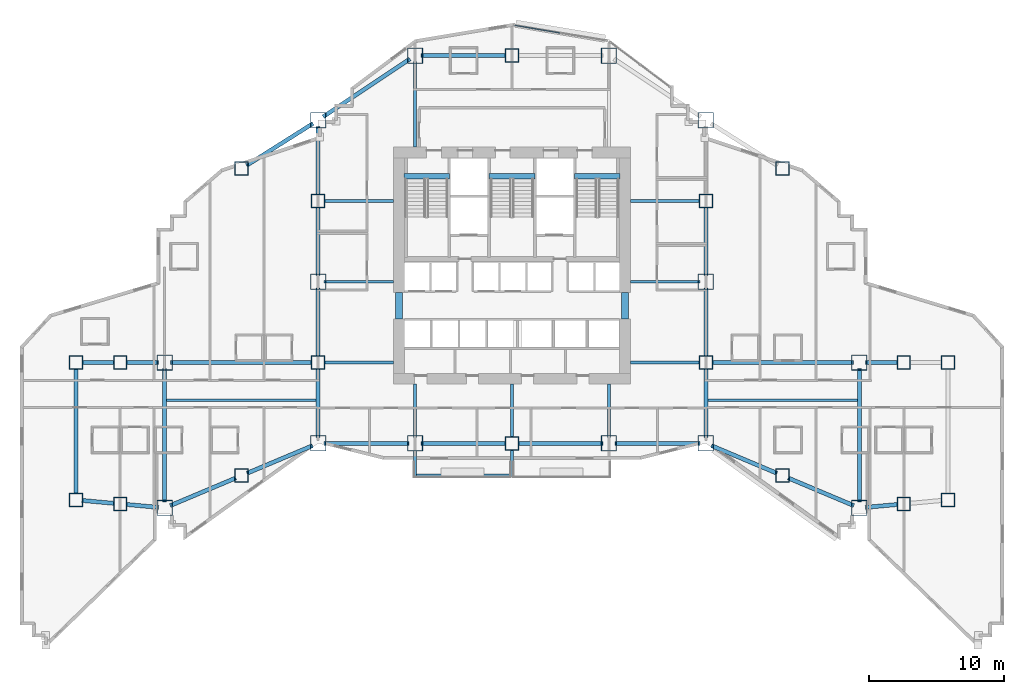
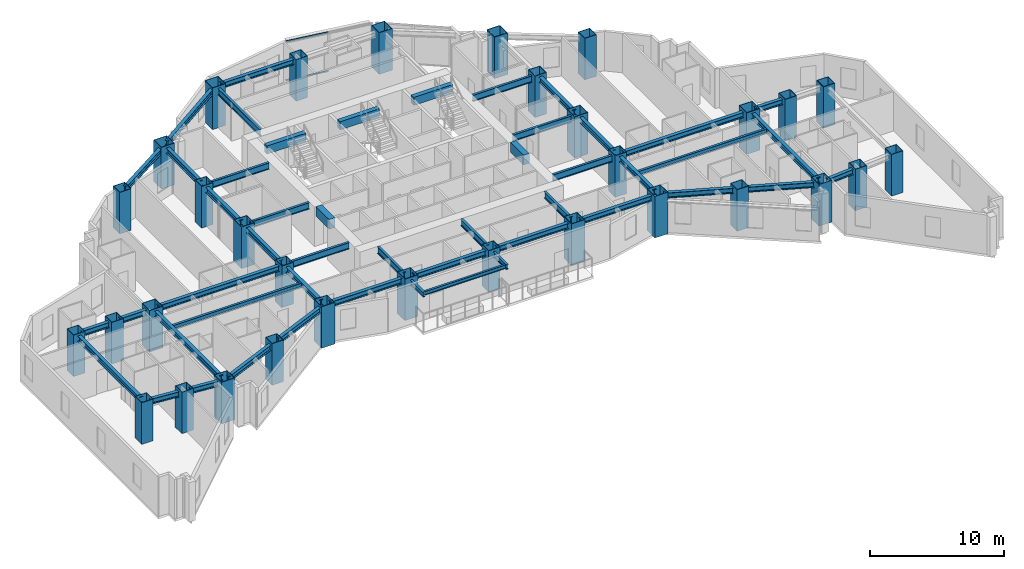
# One storey, part 1 of 18: 49 beams, 32 columns, 2 members, 1 element without a shape of its own.
"""IFC4 building model written with IfcOpenShell, lengths in metres."""

import ifcopenshell
import ifcopenshell.guid

model = None  # the IFC model being written
_history = None  # IfcOwnerHistory: only IFC2X3 demands one
_inside = {}  # id of a spatial element -> (the spatial element, [elements in it])
_under = {}  # id of a project, library or spatial element -> (it, [spatial elements below it])
_declared = {}  # id of a project -> (the project, [libraries it declares])
_typed = {}  # id of a type object -> (the type object, [elements of that type])
_made_of = {}  # id of a material, layer set ... -> (it, [elements and type objects made of it])


def new_model(schema):
    """Start an empty IFC model of exactly this schema.

    Asked for "IFC4X3", IfcOpenShell would pick the latest addendum, in which some entities
    have other attributes; the version numbers below select the first issue.
    IFC2X3 requires an IfcOwnerHistory on every rooted entity: one is made here for all.
    """
    global model, _history
    if schema == "IFC4X3":
        model = ifcopenshell.file(schema_version=(4, 3, 0, 0))
    else:
        model = ifcopenshell.file(schema=schema)
    _inside.clear()
    _under.clear()
    _declared.clear()
    _typed.clear()
    _made_of.clear()
    _history = None
    if model.schema == "IFC2X3":
        org = make("IfcOrganization", Name="unknown")
        user = make(
            "IfcPersonAndOrganization",
            ThePerson=make("IfcPerson", FamilyName="unknown"),
            TheOrganization=org,
        )
        app = make(
            "IfcApplication",
            ApplicationDeveloper=org,
            Version="unknown",
            ApplicationFullName="unknown",
            ApplicationIdentifier="unknown",
        )
        _history = make(
            "IfcOwnerHistory",
            OwningUser=user,
            OwningApplication=app,
            ChangeAction="ADDED",
            CreationDate=0,
        )
    return model


def make(cls, **values):
    """One entity of the class cls with the attributes given. An attribute that is None is left unset."""
    return model.create_entity(
        cls, **{name: value for name, value in values.items() if value is not None}
    )


def rooted(cls, **values):
    """An entity with a GlobalId (a new one), such as an element, a storey or a relation."""
    return make(cls, GlobalId=ifcopenshell.guid.new(), OwnerHistory=_history, **values)


def si_unit(unit_type, name, prefix=None):
    """IfcSIUnit, for example si_unit("LENGTHUNIT", "METRE", prefix="MILLI")."""
    return make("IfcSIUnit", UnitType=unit_type, Prefix=prefix, Name=name)


def assignment(units):
    """IfcUnitAssignment: the units of a project."""
    return None if units is None else make("IfcUnitAssignment", Units=units)


def point(xyz):
    """IfcCartesianPoint."""
    return None if xyz is None else make("IfcCartesianPoint", Coordinates=xyz)


def direction(xyz):
    """IfcDirection."""
    return None if xyz is None else make("IfcDirection", DirectionRatios=xyz)


def frame(location, z_axis=None, x_axis=None):
    """IfcAxis2Placement3D, a coordinate frame: its origin and axes. An axis left out is left unset."""
    return make(
        "IfcAxis2Placement3D",
        Location=point(location),
        Axis=direction(z_axis),
        RefDirection=direction(x_axis),
    )


def frame_2d(location, x_axis=None):
    """IfcAxis2Placement2D, a coordinate frame in the plane: its origin and x axis."""
    return make(
        "IfcAxis2Placement2D", Location=point(location), RefDirection=direction(x_axis)
    )


def origin():
    """The frame at (0, 0, 0) with its axes left unset."""
    return frame((0.0, 0.0, 0.0))


def origin_2d():
    """The frame at (0, 0) in the plane with its x axis left unset."""
    return frame_2d((0.0, 0.0))


def place(relative_to, where):
    """IfcLocalPlacement: puts the frame where relative to a parent placement (None: the world)."""
    return make(
        "IfcLocalPlacement", PlacementRelTo=relative_to, RelativePlacement=where
    )


def context(
    kind, dimensions, precision=None, world=None, true_north=None, identifier=None
):
    """IfcGeometricRepresentationContext, for example the 3D "Model" context."""
    return make(
        "IfcGeometricRepresentationContext",
        ContextIdentifier=identifier,
        ContextType=kind,
        CoordinateSpaceDimension=dimensions,
        Precision=precision,
        WorldCoordinateSystem=world,
        TrueNorth=true_north,
    )


def subcontext(parent, identifier, kind, view, scale=None):
    """IfcGeometricRepresentationSubContext, for example "Body" below "Model"."""
    return make(
        "IfcGeometricRepresentationSubContext",
        ContextIdentifier=identifier,
        ContextType=kind,
        ParentContext=parent,
        TargetScale=scale,
        TargetView=view,
    )


def project(units=None, contexts=None):
    """IfcProject with its units and contexts."""
    return rooted(
        "IfcProject",
        Name="project",
        RepresentationContexts=contexts,
        UnitsInContext=assignment(units),
    )


def spatial(cls, under=None, at=None, **own):
    """A site, building, storey or space (cls), placed at a placement, below another one or the project."""
    s = rooted(cls, ObjectPlacement=at, **own)
    if under is not None:
        _under.setdefault(under.id(), (under, []))[1].append(s)
    return s


def profile(cls, at=None, kind="AREA", **sizes):
    """A parametric profile (cls). Its sizes go by their IFC names, for example OverallWidth=200.0."""
    return make(cls, ProfileType=kind, Position=at, **sizes)


def rectangle(**sizes):
    """IfcRectangleProfileDef."""
    return profile("IfcRectangleProfileDef", **sizes)


def hollow_rectangle(**sizes):
    """IfcRectangleHollowProfileDef."""
    return profile("IfcRectangleHollowProfileDef", **sizes)


def i_section(**sizes):
    """IfcIShapeProfileDef."""
    return profile("IfcIShapeProfileDef", **sizes)


def extrude(swept, where, along, depth):
    """IfcExtrudedAreaSolid: the profile swept, set in the frame where, extruded along a direction by depth."""
    return make(
        "IfcExtrudedAreaSolid",
        SweptArea=swept,
        Position=where,
        ExtrudedDirection=direction(along),
        Depth=depth,
    )


def shape(context_of_items, identifier, shape_type, items):
    """IfcShapeRepresentation: the items that make up one representation, for example the "Body"."""
    return make(
        "IfcShapeRepresentation",
        ContextOfItems=context_of_items,
        RepresentationIdentifier=identifier,
        RepresentationType=shape_type,
        Items=items,
    )


def material(Name=None, Category=None):
    """IfcMaterial."""
    return make("IfcMaterial", Name=Name, Category=Category)


def layer(
    of_material, thickness, ventilated=None, Name=None, Category=None, Priority=None
):
    """IfcMaterialLayer: one layer of a wall or slab, of a material (None: an air gap)."""
    return make(
        "IfcMaterialLayer",
        Material=of_material,
        LayerThickness=thickness,
        IsVentilated=ventilated,
        Name=Name,
        Category=Category,
        Priority=Priority,
    )


def layer_set(layers, Name=None):
    """IfcMaterialLayerSet."""
    return make("IfcMaterialLayerSet", MaterialLayers=layers, LayerSetName=Name)


def material_profile(
    of_material, cross_section, Name=None, Category=None, Priority=None
):
    """IfcMaterialProfile: a cross section and its material."""
    return make(
        "IfcMaterialProfile",
        Name=Name,
        Material=of_material,
        Profile=cross_section,
        Priority=Priority,
        Category=Category,
    )


def profile_set(profiles, Name=None, composite=None):
    """IfcMaterialProfileSet."""
    return make(
        "IfcMaterialProfileSet",
        Name=Name,
        MaterialProfiles=profiles,
        CompositeProfile=composite,
    )


def made_of(thing, what):
    """Note that an element or type object is made of a material, layer set ...; save() writes the relation."""
    if what is not None:
        _made_of.setdefault(what.id(), (what, []))[1].append(thing)
    return thing


def type_object(cls, material=None, **own):
    """A type object (cls), such as IfcWallType, which elements share."""
    return made_of(rooted(cls, **own), material)


def element(
    cls,
    number,
    at=None,
    inside=None,
    cuts=None,
    type_object=None,
    material=None,
    context=None,
    identifier="Body",
    shape_type=None,
    held_by="IfcProductDefinitionShape",
    body=None,
    shapes=None,
    **own,
):
    """One element of the class cls, such as IfcWall. Its Tag is "e" and its number.

    at: its placement. inside: the storey or other place that contains it. cuts: it is an
    opening in that element (IfcRelVoidsElement). A single representation is given by context,
    identifier, shape_type and body (its items); several are given by shapes. held_by: the class
    of the entity that holds the representations. save() writes the other relations.
    """
    e = rooted(cls, Tag="e%d" % number, ObjectPlacement=at, **own)
    if body is not None:
        shapes = [shape(context, identifier, shape_type, body)]
    if shapes is not None:
        e.Representation = make(held_by, Representations=shapes)
    if inside is not None:
        _inside.setdefault(inside.id(), (inside, []))[1].append(e)
    if cuts is not None:
        rooted(
            "IfcRelVoidsElement", RelatingBuildingElement=cuts, RelatedOpeningElement=e
        )
    if type_object is not None:
        _typed.setdefault(type_object.id(), (type_object, []))[1].append(e)
    return made_of(e, material)


def aggregate(whole, parts):
    """IfcRelAggregates: a whole, such as a stair, and the parts it consists of."""
    return rooted("IfcRelAggregates", RelatingObject=whole, RelatedObjects=parts)


def save(model, path):
    """Write the relations noted so far, then the file.

    IfcRelAggregates (storeys below a building ...), IfcRelContainedInSpatialStructure (elements
    in a storey), IfcRelDefinesByType, IfcRelAssociatesMaterial and IfcRelDeclares: one each for
    every whole, place, type object, material and project.
    """
    for whole, parts in _under.values():
        aggregate(whole, parts)
    for where, things in _inside.values():
        rooted(
            "IfcRelContainedInSpatialStructure",
            RelatedElements=things,
            RelatingStructure=where,
        )
    for kind, things in _typed.values():
        rooted("IfcRelDefinesByType", RelatedObjects=things, RelatingType=kind)
    for what, things in _made_of.values():
        rooted("IfcRelAssociatesMaterial", RelatedObjects=things, RelatingMaterial=what)
    for by, libraries in _declared.values():
        rooted("IfcRelDeclares", RelatingContext=by, RelatedDefinitions=libraries)
    model.write(path)


model = new_model("IFC4")

# Units and contexts
model_context = context("Model", 3, precision=1e-05, world=origin(), true_north=direction((0.0, 1.0)))
body_context = subcontext(model_context, "Body", "Model", "MODEL_VIEW")
ifc_project = project(units=[si_unit("LENGTHUNIT", "METRE"), si_unit("AREAUNIT", "SQUARE_METRE"), si_unit("VOLUMEUNIT", "CUBIC_METRE"), si_unit("PLANEANGLEUNIT", "RADIAN"), si_unit("MASSUNIT", "GRAM", prefix="KILO")], contexts=[model_context])

# Site, building, storey
site_placement = place(None, origin())
site = spatial("IfcSite", under=ifc_project, at=site_placement, CompositionType="ELEMENT")
building_placement = place(site_placement, origin())
building = spatial("IfcBuilding", under=site, at=building_placement, Name="Haolan Belvedere Tower", CompositionType="ELEMENT")
storey_placement = place(building_placement, frame((0.0, 0.0, 51.39990234375)))
storey = spatial("IfcBuildingStorey", under=building, at=storey_placement, Name="L12", CompositionType="ELEMENT", Elevation=51.39990234375)

# Columns
ifc_material_1 = material(Name="Steel Q420GJC", Category="steel")
ifc_material_profile_1 = material_profile(ifc_material_1, hollow_rectangle(XDim=1.0, YDim=1.0, WallThickness=0.0380859375, at=origin_2d()), Name="Steel Q420GJC")
ifc_profile_set_1 = profile_set([ifc_material_profile_1], Name="Steel Q420GJC")
column_type_1 = type_object("IfcColumnType", Name="COL-BOX1000x1000x38", PredefinedType="COLUMN", material=ifc_profile_set_1)
for number, where, z_axis, x_axis, name in (
    (1, (6.0, 17.39990234375, 0.0), (0.0, 0.0, 1.0), (1.0, 0.0, 0.0), "L12 column MC-T1-SW (BOX1000x1000x38)"),
    (2, (6.0, 27.60009765625, 0.0), (0.0, 0.0, 1.0), (1.0, 0.0, 0.0), "L12 column MC-T1-NW (BOX1000x1000x38)"),
    (3, (70.800048828125, 17.39990234375, 0.0), (0.0, 0.0, 1.0), (1.0, 0.0, 0.0), "L12 column MC-T5-SE (BOX1000x1000x38)"),
    (4, (70.800048828125, 27.60009765625, 0.0), (0.0, 0.0, 1.0), (1.0, 0.0, 0.0), "L12 column MC-T5-NE (BOX1000x1000x38)"),
    (5, (24.0, 27.60009765625, 0.0), (0.0, 0.0, 1.0), (1.0, 0.0, 0.0), "L12 column TC-T3-W1 (BOX1000x1000x38)"),
    (6, (24.0, 39.60009765625, 0.0), (0.0, 0.0, 1.0), (1.0, 0.0, 0.0), "L12 column TC-T3-W2 (BOX1000x1000x38)"),
    (7, (52.800048828125, 27.60009765625, 0.0), (0.0, 0.0, 1.0), (1.0, 0.0, 0.0), "L12 column TC-T3-E1 (BOX1000x1000x38)"),
    (8, (52.800048828125, 39.60009765625, 0.0), (0.0, 0.0, 1.0), (1.0, 0.0, 0.0), "L12 column TC-T3-E2 (BOX1000x1000x38)"),
    (9, (38.39990234375, 21.60009765625, 0.0), (0.0, 0.0, 1.0), (1.0, 0.0, 0.0), "L12 column TC-T3-SM (BOX1000x1000x38)"),
    (10, (38.39990234375, 50.39990234375, 0.0), (0.0, 0.0, 1.0), (1.0, 0.0, 0.0), "L12 column TC-T3-NM (BOX1000x1000x38)"),
    (11, (18.300048828125, 19.199951171875, 0.0), (0.0, 0.0, 1.0), (1.0, 0.0, 0.0), "L12 column TC-T2-S1 (BOX1000x1000x38)"),
    (12, (18.300048828125, 42.0, 0.0), (0.0, 0.0, 1.0), (1.0, 0.0, 0.0), "L12 column TC-T2-N1 (BOX1000x1000x38)"),
    (13, (58.5, 19.199951171875, 0.0), (0.0, 0.0, 1.0), (1.0, 0.0, 0.0), "L12 column TC-T4-S1 (BOX1000x1000x38)"),
    (14, (58.5, 42.0, 0.0), (0.0, 0.0, 1.0), (1.0, 0.0, 0.0), "L12 column TC-T4-N1 (BOX1000x1000x38)"),
    (15, (9.300048828125, 17.10009765625, 0.0), (0.0, 0.0, 1.0), (1.0, 0.0, 0.0), "L12 column TC-T1-M1 (BOX1000x1000x38)"),
    (16, (9.300048828125, 27.60009765625, 0.0), (0.0, 0.0, 1.0), (1.0, 0.0, 0.0), "L12 column TC-T1-M2 (BOX1000x1000x38)"),
    (17, (67.5, 17.10009765625, 0.0), (0.0, 0.0, 1.0), (1.0, 0.0, 0.0), "L12 column TC-T5-M1 (BOX1000x1000x38)"),
    (18, (67.5, 27.60009765625, 0.0), (0.0, 0.0, 1.0), (1.0, 0.0, 0.0), "L12 column TC-T5-M2 (BOX1000x1000x38)"),
):
    element("IfcColumn", number, at=place(storey_placement, frame(where, z_axis=z_axis, x_axis=x_axis)), inside=storey, type_object=column_type_1, Name=name, PredefinedType="COLUMN", context=body_context, shape_type="SweptSolid", body=[
        extrude(hollow_rectangle(XDim=1.0, YDim=1.0, WallThickness=0.0380859375, at=origin_2d()), origin(), (0.0, 0.0, 1.0), 3.800048828125),
    ])
ifc_material_2 = material(Name="Steel Q355B", Category="steel")
ifc_material_profile_2 = material_profile(ifc_material_2, hollow_rectangle(XDim=1.14990234375, YDim=1.14990234375, WallThickness=0.0419921875, at=origin_2d()), Name="Steel Q355B")
ifc_profile_set_2 = profile_set([ifc_material_profile_2], Name="Steel Q355B")
column_type_2 = type_object("IfcColumnType", Name="COL-BOX1150x1150x42", PredefinedType="COLUMN", material=ifc_profile_set_2)
for number, where, z_axis, x_axis, name in (
    (19, (24.0, 21.60009765625, 0.0), (0.0, 0.0, 1.0), (1.0, 0.0, 0.0), "L12 column MC-T3-SW (BOX1150x1150x42)"),
    (20, (24.0, 33.60009765625, 0.0), (0.0, 0.0, 1.0), (1.0, 0.0, 0.0), "L12 column MC-T3-MW (BOX1150x1150x42)"),
    (21, (24.0, 45.60009765625, 0.0), (0.0, 0.0, 1.0), (1.0, 0.0, 0.0), "L12 column MC-T3-NW (BOX1150x1150x42)"),
    (22, (52.800048828125, 21.60009765625, 0.0), (0.0, 0.0, 1.0), (1.0, 0.0, 0.0), "L12 column MC-T3-SE (BOX1150x1150x42)"),
    (23, (52.800048828125, 33.60009765625, 0.0), (0.0, 0.0, 1.0), (1.0, 0.0, 0.0), "L12 column MC-T3-ME (BOX1150x1150x42)"),
    (24, (52.800048828125, 45.60009765625, 0.0), (0.0, 0.0, 1.0), (1.0, 0.0, 0.0), "L12 column MC-T3-NE (BOX1150x1150x42)"),
    (25, (31.199951171875, 21.60009765625, 0.0), (0.0, 0.0, 1.0), (1.0, 0.0, 0.0), "L12 column MC-T3-S1 (BOX1150x1150x42)"),
    (26, (45.60009765625, 21.60009765625, 0.0), (0.0, 0.0, 1.0), (1.0, 0.0, 0.0), "L12 column MC-T3-S2 (BOX1150x1150x42)"),
    (27, (31.199951171875, 50.39990234375, 0.0), (0.0, 0.0, 1.0), (1.0, 0.0, 0.0), "L12 column MC-T3-N1 (BOX1150x1150x42)"),
    (28, (45.60009765625, 50.39990234375, 0.0), (0.0, 0.0, 1.0), (1.0, 0.0, 0.0), "L12 column MC-T3-N2 (BOX1150x1150x42)"),
    (29, (12.60009765625, 16.800048828125, 0.0), (0.0, 0.0, 1.0), (1.0, 0.0, 0.0), "L12 column MC-T2-SW (BOX1150x1150x42)"),
    (30, (12.60009765625, 27.60009765625, 0.0), (0.0, 0.0, 1.0), (1.0, 0.0, 0.0), "L12 column MC-T2-MW (BOX1150x1150x42)"),
    (31, (64.199951171875, 16.800048828125, 0.0), (0.0, 0.0, 1.0), (1.0, 0.0, 0.0), "L12 column MC-T4-SE (BOX1150x1150x42)"),
    (32, (64.199951171875, 27.60009765625, 0.0), (0.0, 0.0, 1.0), (1.0, 0.0, 0.0), "L12 column MC-T4-ME (BOX1150x1150x42)"),
):
    element("IfcColumn", number, at=place(storey_placement, frame(where, z_axis=z_axis, x_axis=x_axis)), inside=storey, type_object=column_type_2, Name=name, PredefinedType="COLUMN", context=body_context, shape_type="SweptSolid", body=[
        extrude(hollow_rectangle(XDim=1.14990234375, YDim=1.14990234375, WallThickness=0.0419921875, at=origin_2d()), origin(), (0.0, 0.0, 1.0), 3.800048828125),
    ])

# Beams
ifc_material_profile_3 = material_profile(ifc_material_2, i_section(OverallWidth=0.300048828125, OverallDepth=0.488037109375, WebThickness=0.010986328125, FlangeThickness=0.01806640625, FilletRadius=0.02587890625, at=origin_2d()), Name="Steel Q355B")
ifc_profile_set_3 = profile_set([ifc_material_profile_3], Name="Steel Q355B")
beam_type_1 = type_object("IfcBeamType", Name="BM-HM488x300x11x18", PredefinedType="SPANDREL", material=ifc_profile_set_3)
for number, where, z_axis, x_axis, name in (
    (33, (24.0, 22.050048828125, 3.356201171875), (0.0, 1.0, 0.0), (-1.0, 0.0, 0.0), "L12 spandrel girder MC-T3-SW-TC-T3-W1"),
    (34, (24.0, 28.050048828125, 3.356201171875), (0.0, 1.0, 0.0), (-1.0, 0.0, 0.0), "L12 spandrel girder TC-T3-W1-MC-T3-MW"),
    (35, (24.0, 34.050048828125, 3.356201171875), (0.0, 1.0, 0.0), (-1.0, 0.0, 0.0), "L12 spandrel girder MC-T3-MW-TC-T3-W2"),
    (36, (24.0, 40.050048828125, 3.356201171875), (0.0, 1.0, 0.0), (-1.0, 0.0, 0.0), "L12 spandrel girder TC-T3-W2-MC-T3-NW"),
    (37, (52.800048828125, 22.050048828125, 3.356201171875), (0.0, 1.0, 0.0), (-1.0, 0.0, 0.0), "L12 spandrel girder MC-T3-SE-TC-T3-E1"),
    (38, (52.800048828125, 28.050048828125, 3.356201171875), (0.0, 1.0, 0.0), (-1.0, 0.0, 0.0), "L12 spandrel girder TC-T3-E1-MC-T3-ME"),
    (39, (52.800048828125, 34.050048828125, 3.356201171875), (0.0, 1.0, 0.0), (-1.0, 0.0, 0.0), "L12 spandrel girder MC-T3-ME-TC-T3-E2"),
):
    element("IfcBeam", number, at=place(storey_placement, frame(where, z_axis=z_axis, x_axis=x_axis)), inside=storey, type_object=beam_type_1, Name=name, PredefinedType="SPANDREL", context=body_context, shape_type="SweptSolid", body=[
        extrude(i_section(OverallWidth=0.300048828125, OverallDepth=0.488037109375, WebThickness=0.010986328125, FlangeThickness=0.01806640625, FilletRadius=0.02587890625, at=origin_2d()), origin(), (0.0, 0.0, 1.0), 5.099853515625),
    ])
for number, where, z_axis, x_axis, name in (
    (40, (24.449951171875, 21.60009765625, 3.356201171875), (1.0, 0.0, 0.0), (0.0, 1.0, 0.0), "L12 spandrel girder MC-T3-SW-MC-T3-S1"),
    (41, (31.64990234375, 21.60009765625, 3.356201171875), (1.0, 0.0, 0.0), (0.0, 1.0, 0.0), "L12 spandrel girder MC-T3-S1-TC-T3-SM"),
):
    element("IfcBeam", number, at=place(storey_placement, frame(where, z_axis=z_axis, x_axis=x_axis)), inside=storey, type_object=beam_type_1, Name=name, PredefinedType="SPANDREL", context=body_context, shape_type="SweptSolid", body=[
        extrude(i_section(OverallWidth=0.300048828125, OverallDepth=0.488037109375, WebThickness=0.010986328125, FlangeThickness=0.01806640625, FilletRadius=0.02587890625, at=origin_2d()), origin(), (0.0, 0.0, 1.0), 6.300048828125),
    ])
beam_1_placement = place(storey_placement, frame((38.85009765625, 21.60009765625, 3.356201171875), z_axis=(1.0, 0.0, 0.0), x_axis=(0.0, 1.0, 0.0)))
element("IfcBeam", 42, at=beam_1_placement, inside=storey, type_object=beam_type_1, Name="L12 spandrel girder TC-T3-SM-MC-T3-S2", PredefinedType="SPANDREL", context=body_context, shape_type="SweptSolid", body=[
    extrude(i_section(OverallWidth=0.300048828125, OverallDepth=0.488037109375, WebThickness=0.010986328125, FlangeThickness=0.01806640625, FilletRadius=0.02587890625, at=origin_2d()), origin(), (0.0, 0.0, 1.0), 6.2998046875),
])
beam_2_placement = place(storey_placement, frame((46.050048828125, 21.60009765625, 3.356201171875), z_axis=(1.0, 0.0, 0.0), x_axis=(0.0, 1.0, 0.0)))
element("IfcBeam", 43, at=beam_2_placement, inside=storey, type_object=beam_type_1, Name="L12 spandrel girder MC-T3-S2-MC-T3-SE", PredefinedType="SPANDREL", context=body_context, shape_type="SweptSolid", body=[
    extrude(i_section(OverallWidth=0.300048828125, OverallDepth=0.488037109375, WebThickness=0.010986328125, FlangeThickness=0.01806640625, FilletRadius=0.02587890625, at=origin_2d()), origin(), (0.0, 0.0, 1.0), 6.300048828125),
])
beam_3_placement = place(storey_placement, frame((24.37451171875, 45.849609375, 3.356201171875), z_axis=(0.832050294338, 0.554700196225, 0.0), x_axis=(-0.554700196225, 0.832050294338, 0.0)))
element("IfcBeam", 44, at=beam_3_placement, inside=storey, type_object=beam_type_1, Name="L12 spandrel girder MC-T3-NW-MC-T3-N1", PredefinedType="SPANDREL", context=body_context, shape_type="SweptSolid", body=[
    extrude(i_section(OverallWidth=0.300048828125, OverallDepth=0.488037109375, WebThickness=0.010986328125, FlangeThickness=0.01806640625, FilletRadius=0.02587890625, at=origin_2d()), origin(), (0.0, 0.0, 1.0), 7.75341796875),
])
beam_4_placement = place(storey_placement, frame((31.64990234375, 50.39990234375, 3.356201171875), z_axis=(1.0, 0.0, 0.0), x_axis=(0.0, 1.0, 0.0)))
element("IfcBeam", 45, at=beam_4_placement, inside=storey, type_object=beam_type_1, Name="L12 spandrel girder MC-T3-N1-TC-T3-NM", PredefinedType="SPANDREL", context=body_context, shape_type="SweptSolid", body=[
    extrude(i_section(OverallWidth=0.300048828125, OverallDepth=0.488037109375, WebThickness=0.010986328125, FlangeThickness=0.01806640625, FilletRadius=0.02587890625, at=origin_2d()), origin(), (0.0, 0.0, 1.0), 6.300048828125),
])
beam_5_placement = place(storey_placement, frame((12.60009765625, 17.25, 3.356201171875), z_axis=(0.0, 1.0, 0.0), x_axis=(-1.0, 0.0, 0.0)))
element("IfcBeam", 46, at=beam_5_placement, inside=storey, type_object=beam_type_1, Name="L12 spandrel girder MC-T2-SW-MC-T2-MW", PredefinedType="SPANDREL", context=body_context, shape_type="SweptSolid", body=[
    extrude(i_section(OverallWidth=0.300048828125, OverallDepth=0.488037109375, WebThickness=0.010986328125, FlangeThickness=0.01806640625, FilletRadius=0.02587890625, at=origin_2d()), origin(), (0.0, 0.0, 1.0), 9.89990234375),
])
beam_6_placement = place(storey_placement, frame((13.0146484375, 16.974609375, 3.356201171875), z_axis=(0.921635375138, 0.388057000058, 0.0), x_axis=(-0.388057000058, 0.921635375138, 0.0)))
element("IfcBeam", 47, at=beam_6_placement, inside=storey, type_object=beam_type_1, Name="L12 spandrel girder MC-T2-SW-TC-T2-S1", PredefinedType="SPANDREL", context=body_context, shape_type="SweptSolid", body=[
    extrude(i_section(OverallWidth=0.300048828125, OverallDepth=0.488037109375, WebThickness=0.010986328125, FlangeThickness=0.01806640625, FilletRadius=0.02587890625, at=origin_2d()), origin(), (0.0, 0.0, 1.0), 5.28466796875),
])
beam_7_placement = place(storey_placement, frame((18.71484375, 19.37451171875, 3.356201171875), z_axis=(0.92162841793, 0.388073523014, 0.0), x_axis=(-0.388073523014, 0.92162841793, 0.0)))
element("IfcBeam", 48, at=beam_7_placement, inside=storey, type_object=beam_type_1, Name="L12 spandrel girder TC-T2-S1-MC-T3-SW", PredefinedType="SPANDREL", context=body_context, shape_type="SweptSolid", body=[
    extrude(i_section(OverallWidth=0.300048828125, OverallDepth=0.488037109375, WebThickness=0.010986328125, FlangeThickness=0.01806640625, FilletRadius=0.02587890625, at=origin_2d()), origin(), (0.0, 0.0, 1.0), 5.284423828125),
])
beam_8_placement = place(storey_placement, frame((18.680419921875, 42.240234375, 3.356201171875), z_axis=(0.845497840649, 0.533978839898, 0.0), x_axis=(-0.533978839898, 0.845497840649, 0.0)))
element("IfcBeam", 49, at=beam_8_placement, inside=storey, type_object=beam_type_1, Name="L12 spandrel girder TC-T2-N1-MC-T3-NW", PredefinedType="SPANDREL", context=body_context, shape_type="SweptSolid", body=[
    extrude(i_section(OverallWidth=0.300048828125, OverallDepth=0.488037109375, WebThickness=0.010986328125, FlangeThickness=0.01806640625, FilletRadius=0.02587890625, at=origin_2d()), origin(), (0.0, 0.0, 1.0), 5.841796875),
])
beam_9_placement = place(storey_placement, frame((13.050048828125, 27.60009765625, 3.356201171875), z_axis=(1.0, 0.0, 0.0), x_axis=(0.0, 1.0, 0.0)))
element("IfcBeam", 50, at=beam_9_placement, inside=storey, type_object=beam_type_1, Name="L12 spandrel girder MC-T2-MW-TC-T3-W1", PredefinedType="SPANDREL", context=body_context, shape_type="SweptSolid", body=[
    extrude(i_section(OverallWidth=0.300048828125, OverallDepth=0.488037109375, WebThickness=0.010986328125, FlangeThickness=0.01806640625, FilletRadius=0.02587890625, at=origin_2d()), origin(), (0.0, 0.0, 1.0), 10.5),
])
beam_10_placement = place(storey_placement, frame((64.199951171875, 17.25, 3.356201171875), z_axis=(0.0, 1.0, 0.0), x_axis=(-1.0, 0.0, 0.0)))
element("IfcBeam", 51, at=beam_10_placement, inside=storey, type_object=beam_type_1, Name="L12 spandrel girder MC-T4-SE-MC-T4-ME", PredefinedType="SPANDREL", context=body_context, shape_type="SweptSolid", body=[
    extrude(i_section(OverallWidth=0.300048828125, OverallDepth=0.488037109375, WebThickness=0.010986328125, FlangeThickness=0.01806640625, FilletRadius=0.02587890625, at=origin_2d()), origin(), (0.0, 0.0, 1.0), 9.89990234375),
])
for number, where, z_axis, x_axis, name in (
    (52, (53.21484375, 21.42529296875, 3.356201171875), (0.92162841793, -0.388073523014, 0.0), (0.388073523014, 0.92162841793, 0.0), "L12 spandrel girder MC-T3-SE-TC-T4-S1"),
    (53, (58.914794921875, 19.025390625, 3.356201171875), (0.92162841793, -0.388073523014, 0.0), (0.388073523014, 0.92162841793, 0.0), "L12 spandrel girder TC-T4-S1-MC-T4-SE"),
):
    element("IfcBeam", number, at=place(storey_placement, frame(where, z_axis=z_axis, x_axis=x_axis)), inside=storey, type_object=beam_type_1, Name=name, PredefinedType="SPANDREL", context=body_context, shape_type="SweptSolid", body=[
        extrude(i_section(OverallWidth=0.300048828125, OverallDepth=0.488037109375, WebThickness=0.010986328125, FlangeThickness=0.01806640625, FilletRadius=0.02587890625, at=origin_2d()), origin(), (0.0, 0.0, 1.0), 5.284423828125),
    ])
beam_11_placement = place(storey_placement, frame((53.25, 27.60009765625, 3.356201171875), z_axis=(1.0, 0.0, 0.0), x_axis=(0.0, 1.0, 0.0)))
element("IfcBeam", 54, at=beam_11_placement, inside=storey, type_object=beam_type_1, Name="L12 spandrel girder TC-T3-E1-MC-T4-ME", PredefinedType="SPANDREL", context=body_context, shape_type="SweptSolid", body=[
    extrude(i_section(OverallWidth=0.300048828125, OverallDepth=0.488037109375, WebThickness=0.010986328125, FlangeThickness=0.01806640625, FilletRadius=0.02587890625, at=origin_2d()), origin(), (0.0, 0.0, 1.0), 10.5),
])
beam_12_placement = place(storey_placement, frame((6.0, 17.85009765625, 3.356201171875), z_axis=(0.0, 1.0, 0.0), x_axis=(-1.0, 0.0, 0.0)))
element("IfcBeam", 55, at=beam_12_placement, inside=storey, type_object=beam_type_1, Name="L12 spandrel girder MC-T1-SW-MC-T1-NW", PredefinedType="SPANDREL", context=body_context, shape_type="SweptSolid", body=[
    extrude(i_section(OverallWidth=0.300048828125, OverallDepth=0.488037109375, WebThickness=0.010986328125, FlangeThickness=0.01806640625, FilletRadius=0.02587890625, at=origin_2d()), origin(), (0.0, 0.0, 1.0), 9.2998046875),
])
beam_13_placement = place(storey_placement, frame((6.4482421875, 17.359375, 3.356201171875), z_axis=(0.995884080761, -0.090636072764, 0.0), x_axis=(0.090636072764, 0.995884080761, 0.0)))
element("IfcBeam", 56, at=beam_13_placement, inside=storey, type_object=beam_type_1, Name="L12 spandrel girder MC-T1-SW-TC-T1-M1", PredefinedType="SPANDREL", context=body_context, shape_type="SweptSolid", body=[
    extrude(i_section(OverallWidth=0.300048828125, OverallDepth=0.488037109375, WebThickness=0.010986328125, FlangeThickness=0.01806640625, FilletRadius=0.02587890625, at=origin_2d()), origin(), (0.0, 0.0, 1.0), 2.41357421875),
])
beam_14_placement = place(storey_placement, frame((9.748046875, 17.059326171875, 3.356201171875), z_axis=(0.9958940355, -0.090526626221, 0.0), x_axis=(0.090526626221, 0.9958940355, 0.0)))
element("IfcBeam", 57, at=beam_14_placement, inside=storey, type_object=beam_type_1, Name="L12 spandrel girder TC-T1-M1-MC-T2-SW", PredefinedType="SPANDREL", context=body_context, shape_type="SweptSolid", body=[
    extrude(i_section(OverallWidth=0.300048828125, OverallDepth=0.488037109375, WebThickness=0.010986328125, FlangeThickness=0.01806640625, FilletRadius=0.02587890625, at=origin_2d()), origin(), (0.0, 0.0, 1.0), 2.413818359375),
])
beam_15_placement = place(storey_placement, frame((6.449951171875, 27.60009765625, 3.356201171875), z_axis=(1.0, 0.0, 0.0), x_axis=(0.0, 1.0, 0.0)))
element("IfcBeam", 58, at=beam_15_placement, inside=storey, type_object=beam_type_1, Name="L12 spandrel girder MC-T1-NW-TC-T1-M2", PredefinedType="SPANDREL", context=body_context, shape_type="SweptSolid", body=[
    extrude(i_section(OverallWidth=0.300048828125, OverallDepth=0.488037109375, WebThickness=0.010986328125, FlangeThickness=0.01806640625, FilletRadius=0.02587890625, at=origin_2d()), origin(), (0.0, 0.0, 1.0), 2.400146484375),
])
beam_16_placement = place(storey_placement, frame((9.75, 27.60009765625, 3.356201171875), z_axis=(1.0, 0.0, 0.0), x_axis=(0.0, 1.0, 0.0)))
element("IfcBeam", 59, at=beam_16_placement, inside=storey, type_object=beam_type_1, Name="L12 spandrel girder TC-T1-M2-MC-T2-MW", PredefinedType="SPANDREL", context=body_context, shape_type="SweptSolid", body=[
    extrude(i_section(OverallWidth=0.300048828125, OverallDepth=0.488037109375, WebThickness=0.010986328125, FlangeThickness=0.01806640625, FilletRadius=0.02587890625, at=origin_2d()), origin(), (0.0, 0.0, 1.0), 2.39990234375),
])
beam_17_placement = place(storey_placement, frame((64.648193359375, 16.8408203125, 3.356201171875), z_axis=(0.995893206468, 0.090535746043, 0.0), x_axis=(-0.090535746043, 0.995893206468, 0.0)))
element("IfcBeam", 60, at=beam_17_placement, inside=storey, type_object=beam_type_1, Name="L12 spandrel girder MC-T4-SE-TC-T5-M1", PredefinedType="SPANDREL", context=body_context, shape_type="SweptSolid", body=[
    extrude(i_section(OverallWidth=0.300048828125, OverallDepth=0.488037109375, WebThickness=0.010986328125, FlangeThickness=0.01806640625, FilletRadius=0.02587890625, at=origin_2d()), origin(), (0.0, 0.0, 1.0), 2.41357421875),
])
beam_18_placement = place(storey_placement, frame((64.64990234375, 27.60009765625, 3.356201171875), z_axis=(1.0, 0.0, 0.0), x_axis=(0.0, 1.0, 0.0)))
element("IfcBeam", 61, at=beam_18_placement, inside=storey, type_object=beam_type_1, Name="L12 spandrel girder MC-T4-ME-TC-T5-M2", PredefinedType="SPANDREL", context=body_context, shape_type="SweptSolid", body=[
    extrude(i_section(OverallWidth=0.300048828125, OverallDepth=0.488037109375, WebThickness=0.010986328125, FlangeThickness=0.01806640625, FilletRadius=0.02587890625, at=origin_2d()), origin(), (0.0, 0.0, 1.0), 2.400146484375),
])
ifc_material_profile_4 = material_profile(ifc_material_2, i_section(OverallWidth=0.175048828125, OverallDepth=0.35009765625, WebThickness=0.007080078125, FlangeThickness=0.010986328125, FilletRadius=0.012939453125, at=origin_2d()), Name="Steel Q355B")
ifc_profile_set_4 = profile_set([ifc_material_profile_4], Name="Steel Q355B")
beam_type_2 = type_object("IfcBeamType", Name="BM-HN350x175x7x11", PredefinedType="JOIST", material=ifc_profile_set_4)
beam_19_placement = place(storey_placement, frame((31.300048828125, 19.239990234375, 3.39501953125), z_axis=(1.0, 0.0, 0.0), x_axis=(0.0, 1.0, 0.0)))
element("IfcBeam", 62, at=beam_19_placement, inside=storey, type_object=beam_type_2, Name="L13 tree-balcony front trimmer beam 1", PredefinedType="BEAM", context=body_context, shape_type="SweptSolid", body=[
    extrude(i_section(OverallWidth=0.175048828125, OverallDepth=0.35009765625, WebThickness=0.007080078125, FlangeThickness=0.010986328125, FilletRadius=0.012939453125, at=origin_2d()), origin(), (0.0, 0.0, 1.0), 7.0),
])
ifc_material_profile_5 = material_profile(ifc_material_2, i_section(OverallWidth=0.199951171875, OverallDepth=0.39990234375, WebThickness=0.008056640625, FlangeThickness=0.012939453125, FilletRadius=0.01611328125, at=origin_2d()), Name="Steel Q355B")
ifc_profile_set_5 = profile_set([ifc_material_profile_5], Name="Steel Q355B")
beam_type_3 = type_object("IfcBeamType", Name="BM-HN400x200x8x13", PredefinedType="JOIST", material=ifc_profile_set_5)
for number, where, z_axis, x_axis, name in (
    (63, (12.75, 24.800048828125, 3.400146484375), (1.0, 0.0, 0.0), (0.0, 1.0, 0.0), "L12 west wing floor joist 1"),
    (64, (52.949951171875, 24.800048828125, 3.400146484375), (1.0, 0.0, 0.0), (0.0, 1.0, 0.0), "L12 east wing floor joist 1"),
):
    element("IfcBeam", number, at=place(storey_placement, frame(where, z_axis=z_axis, x_axis=x_axis)), inside=storey, type_object=beam_type_3, Name=name, PredefinedType="JOIST", context=body_context, shape_type="SweptSolid", body=[
        extrude(i_section(OverallWidth=0.199951171875, OverallDepth=0.39990234375, WebThickness=0.008056640625, FlangeThickness=0.012939453125, FilletRadius=0.01611328125, at=origin_2d()), origin(), (0.0, 0.0, 1.0), 11.10009765625),
    ])
ifc_material_profile_6 = material_profile(ifc_material_2, i_section(OverallWidth=0.199951171875, OverallDepth=0.449951171875, WebThickness=0.009033203125, FlangeThickness=0.013916015625, FilletRadius=0.01611328125, at=origin_2d()), Name="Steel Q355B")
ifc_profile_set_6 = profile_set([ifc_material_profile_6], Name="Steel Q355B")
beam_type_4 = type_object("IfcBeamType", Name="BM-HN450x200x9x14", PredefinedType="BEAM", material=ifc_profile_set_6)
beam_20_placement = place(storey_placement, frame((31.199951171875, 21.02490234375, 3.34521484375), z_axis=(0.0, -1.0, 0.0), x_axis=(1.0, 0.0, 0.0)))
element("IfcBeam", 65, at=beam_20_placement, inside=storey, type_object=beam_type_4, Name="L13 tree-balcony column cantilever MC-T3-S1", PredefinedType="BEAM", context=body_context, shape_type="SweptSolid", body=[
    extrude(i_section(OverallWidth=0.199951171875, OverallDepth=0.449951171875, WebThickness=0.009033203125, FlangeThickness=0.013916015625, FilletRadius=0.01611328125, at=origin_2d()), origin(), (0.0, 0.0, 1.0), 1.885009765625),
])
beam_21_placement = place(storey_placement, frame((38.39990234375, 21.10009765625, 3.34521484375), z_axis=(0.0, -1.0, 0.0), x_axis=(1.0, 0.0, 0.0)))
element("IfcBeam", 66, at=beam_21_placement, inside=storey, type_object=beam_type_4, Name="L13 tree-balcony column cantilever TC-T3-SM", PredefinedType="BEAM", context=body_context, shape_type="SweptSolid", body=[
    extrude(i_section(OverallWidth=0.199951171875, OverallDepth=0.449951171875, WebThickness=0.009033203125, FlangeThickness=0.013916015625, FilletRadius=0.01611328125, at=origin_2d()), origin(), (0.0, 0.0, 1.0), 1.960205078125),
])
ifc_material_profile_7 = material_profile(ifc_material_2, i_section(OverallWidth=0.199951171875, OverallDepth=0.60009765625, WebThickness=0.010986328125, FlangeThickness=0.01708984375, FilletRadius=0.02197265625, at=origin_2d()), Name="Steel Q355B")
ifc_profile_set_7 = profile_set([ifc_material_profile_7], Name="Steel Q355B")
beam_type_5 = type_object("IfcBeamType", Name="BM-HN600x200x11x17", PredefinedType="BEAM", material=ifc_profile_set_7)
for number, where, z_axis, x_axis, name in (
    (67, (24.449951171875, 33.60009765625, 3.300048828125), (1.0, 0.0, 0.0), (0.0, 1.0, 0.0), "L12 core tie beam from MC-T3-MW"),
    (68, (24.449951171875, 27.60009765625, 3.300048828125), (1.0, 0.0, 0.0), (0.0, 1.0, 0.0), "L12 core tie beam from TC-T3-W1"),
    (69, (24.449951171875, 39.60009765625, 3.300048828125), (1.0, 0.0, 0.0), (0.0, 1.0, 0.0), "L12 core tie beam from TC-T3-W2"),
    (70, (52.35009765625, 33.60009765625, 3.300048828125), (-1.0, 0.0, 0.0), (0.0, -1.0, 0.0), "L12 core tie beam from MC-T3-ME"),
    (71, (52.35009765625, 27.60009765625, 3.300048828125), (-1.0, 0.0, 0.0), (0.0, -1.0, 0.0), "L12 core tie beam from TC-T3-E1"),
    (72, (52.35009765625, 39.60009765625, 3.300048828125), (-1.0, 0.0, 0.0), (0.0, -1.0, 0.0), "L12 core tie beam from TC-T3-E2"),
):
    element("IfcBeam", number, at=place(storey_placement, frame(where, z_axis=z_axis, x_axis=x_axis)), inside=storey, type_object=beam_type_5, Name=name, PredefinedType="BEAM", context=body_context, shape_type="SweptSolid", body=[
        extrude(i_section(OverallWidth=0.199951171875, OverallDepth=0.60009765625, WebThickness=0.010986328125, FlangeThickness=0.01708984375, FilletRadius=0.02197265625, at=origin_2d()), origin(), (0.0, 0.0, 1.0), 5.150146484375),
    ])
for number, where, z_axis, x_axis, name in (
    (73, (31.199951171875, 22.050048828125, 3.300048828125), (0.0, 1.0, 0.0), (-1.0, 0.0, 0.0), "L12 core tie beam from MC-T3-S1"),
    (74, (38.39990234375, 22.050048828125, 3.300048828125), (0.0, 1.0, 0.0), (-1.0, 0.0, 0.0), "L12 core tie beam from TC-T3-SM"),
    (75, (45.60009765625, 22.050048828125, 3.300048828125), (0.0, 1.0, 0.0), (-1.0, 0.0, 0.0), "L12 core tie beam from MC-T3-S2"),
):
    element("IfcBeam", number, at=place(storey_placement, frame(where, z_axis=z_axis, x_axis=x_axis)), inside=storey, type_object=beam_type_5, Name=name, PredefinedType="BEAM", context=body_context, shape_type="SweptSolid", body=[
        extrude(i_section(OverallWidth=0.199951171875, OverallDepth=0.60009765625, WebThickness=0.010986328125, FlangeThickness=0.01708984375, FilletRadius=0.02197265625, at=origin_2d()), origin(), (0.0, 0.0, 1.0), 3.949951171875),
    ])
beam_22_placement = place(storey_placement, frame((31.199951171875, 49.949951171875, 3.300048828125), z_axis=(0.0, -1.0, 0.0), x_axis=(1.0, 0.0, 0.0)))
element("IfcBeam", 76, at=beam_22_placement, inside=storey, type_object=beam_type_5, Name="L12 core tie beam from MC-T3-N1", PredefinedType="BEAM", context=body_context, shape_type="SweptSolid", body=[
    extrude(i_section(OverallWidth=0.199951171875, OverallDepth=0.60009765625, WebThickness=0.010986328125, FlangeThickness=0.01708984375, FilletRadius=0.02197265625, at=origin_2d()), origin(), (0.0, 0.0, 1.0), 6.349853515625),
])
ifc_material_3 = material(Name="Concrete C50/60", Category="concrete")
ifc_material_profile_8 = material_profile(ifc_material_3, rectangle(XDim=0.39990234375, YDim=0.75, at=origin_2d()), Name="Concrete C50/60")
ifc_profile_set_8 = profile_set([ifc_material_profile_8], Name="Concrete C50/60")
beam_type_6 = type_object("IfcBeamType", Name="BM-RC400x750", PredefinedType="T_BEAM", material=ifc_profile_set_8)
beam_23_placement = place(storey_placement, frame((30.3798828125, 41.429931640625, 3.425048828125), z_axis=(1.0, 0.0, 0.0), x_axis=(0.0, 1.0, 0.0)))
element("IfcBeam", 77, at=beam_23_placement, inside=storey, type_object=beam_type_6, Name="L13 stair ST1 RC header trimmer beam", PredefinedType="BEAM", context=body_context, shape_type="SweptSolid", body=[
    extrude(rectangle(XDim=0.39990234375, YDim=0.75, at=origin_2d()), origin(), (0.0, 0.0, 1.0), 3.360107421875),
])
beam_24_placement = place(storey_placement, frame((36.699951171875, 41.429931640625, 3.425048828125), z_axis=(1.0, 0.0, 0.0), x_axis=(0.0, 1.0, 0.0)))
element("IfcBeam", 78, at=beam_24_placement, inside=storey, type_object=beam_type_6, Name="L13 stair ST3 RC header trimmer beam", PredefinedType="BEAM", context=body_context, shape_type="SweptSolid", body=[
    extrude(rectangle(XDim=0.39990234375, YDim=0.75, at=origin_2d()), origin(), (0.0, 0.0, 1.0), 3.400146484375),
])
beam_25_placement = place(storey_placement, frame((43.06005859375, 41.429931640625, 3.425048828125), z_axis=(1.0, 0.0, 0.0), x_axis=(0.0, 1.0, 0.0)))
element("IfcBeam", 79, at=beam_25_placement, inside=storey, type_object=beam_type_6, Name="L13 stair ST2 RC header trimmer beam", PredefinedType="BEAM", context=body_context, shape_type="SweptSolid", body=[
    extrude(rectangle(XDim=0.39990234375, YDim=0.75, at=origin_2d()), origin(), (0.0, 0.0, 1.0), 3.35986328125),
])
ifc_material_4 = material(Name="Concrete C60/75", Category="concrete")
ifc_material_profile_9 = material_profile(ifc_material_4, rectangle(XDim=0.5, YDim=0.89990234375, at=origin_2d()), Name="Concrete C60/75")
ifc_profile_set_9 = profile_set([ifc_material_profile_9], Name="Concrete C60/75")
beam_type_7 = type_object("IfcBeamType", Name="BM-RC500x900", PredefinedType="LINTEL", material=ifc_profile_set_9)
for number, where, z_axis, x_axis, name in (
    (80, (30.0, 30.85009765625, 3.150146484375), (0.0, 1.0, 0.0), (-1.0, 0.0, 0.0), "L12 west core coupling beam CB-01"),
    (81, (46.800048828125, 30.85009765625, 3.150146484375), (0.0, 1.0, 0.0), (-1.0, 0.0, 0.0), "L12 east core coupling beam CB-01"),
):
    element("IfcBeam", number, at=place(storey_placement, frame(where, z_axis=z_axis, x_axis=x_axis)), inside=storey, type_object=beam_type_7, Name=name, PredefinedType="LINTEL", context=body_context, shape_type="SweptSolid", body=[
        extrude(rectangle(XDim=0.5, YDim=0.89990234375, at=origin_2d()), origin(), (0.0, 0.0, 1.0), 1.949951171875),
    ])

# Curtain wall, members
ifc_material_5 = material(Name="Anodised champagne-silver aluminium 6063-T6 and Low-E glass", Category="aluminium")
ifc_layer = layer(ifc_material_5, 0.1650390625, Name="Anodised champagne-silver aluminium 6063-T6 and Low-E glass")
ifc_layer_set = layer_set([ifc_layer], Name="Anodised champagne-silver aluminium 6063-T6 and Low-E glass")
curtain_wall_type = type_object("IfcCurtainWallType", Name="CW-SYS-02", PredefinedType="NOTDEFINED", material=ifc_layer_set)
curtain_wall_placement = place(storey_placement, origin())
curtain_wall = element("IfcCurtainWall", 82, at=curtain_wall_placement, inside=storey, type_object=curtain_wall_type, Name="L12 CW-SYS-02 ribbon curtain wall 42.1", PredefinedType="NOTDEFINED")
ifc_material_6 = material(Name="Anodised aluminium 6063-T6", Category="aluminium")
ifc_material_profile_10 = material_profile(ifc_material_6, hollow_rectangle(XDim=0.054931640625, YDim=0.1298828125, WallThickness=0.00390625, at=origin_2d()), Name="Anodised aluminium 6063-T6")
ifc_profile_set_10 = profile_set([ifc_material_profile_10], Name="Anodised aluminium 6063-T6")
member_type = type_object("IfcMemberType", Name="CW-SYS-02-TRN", PredefinedType="USERDEFINED", material=ifc_profile_set_10)
member_1_placement = place(storey_placement, frame((41.946044921875, 52.08740234375, 0.027587890625), z_axis=(-0.986395867289, 0.164387326137, 0.0), x_axis=(-0.164387326137, -0.986395867289, 0.0)))
member_1 = element("IfcMember", 83, at=member_1_placement, type_object=member_type, Name="CW-02 transom 2.1", ObjectType="TRANSOM", PredefinedType="USERDEFINED", context=body_context, shape_type="SweptSolid", body=[
    extrude(hollow_rectangle(XDim=0.054931640625, YDim=0.1298828125, WallThickness=0.00390625, at=origin_2d()), origin(), (0.0, 0.0, 1.0), 3.39501953125),
])
member_2_placement = place(storey_placement, frame((41.946044921875, 52.08740234375, 3.572509765625), z_axis=(-0.986395867289, 0.164387326137, 0.0), x_axis=(-0.164387326137, -0.986395867289, 0.0)))
member_2 = element("IfcMember", 84, at=member_2_placement, type_object=member_type, Name="CW-02 transom 2.2", ObjectType="TRANSOM", PredefinedType="USERDEFINED", context=body_context, shape_type="SweptSolid", body=[
    extrude(hollow_rectangle(XDim=0.054931640625, YDim=0.1298828125, WallThickness=0.00390625, at=origin_2d()), origin(), (0.0, 0.0, 1.0), 3.39501953125),
])
aggregate(curtain_wall, [member_1, member_2])

save(model, "model.ifc")
